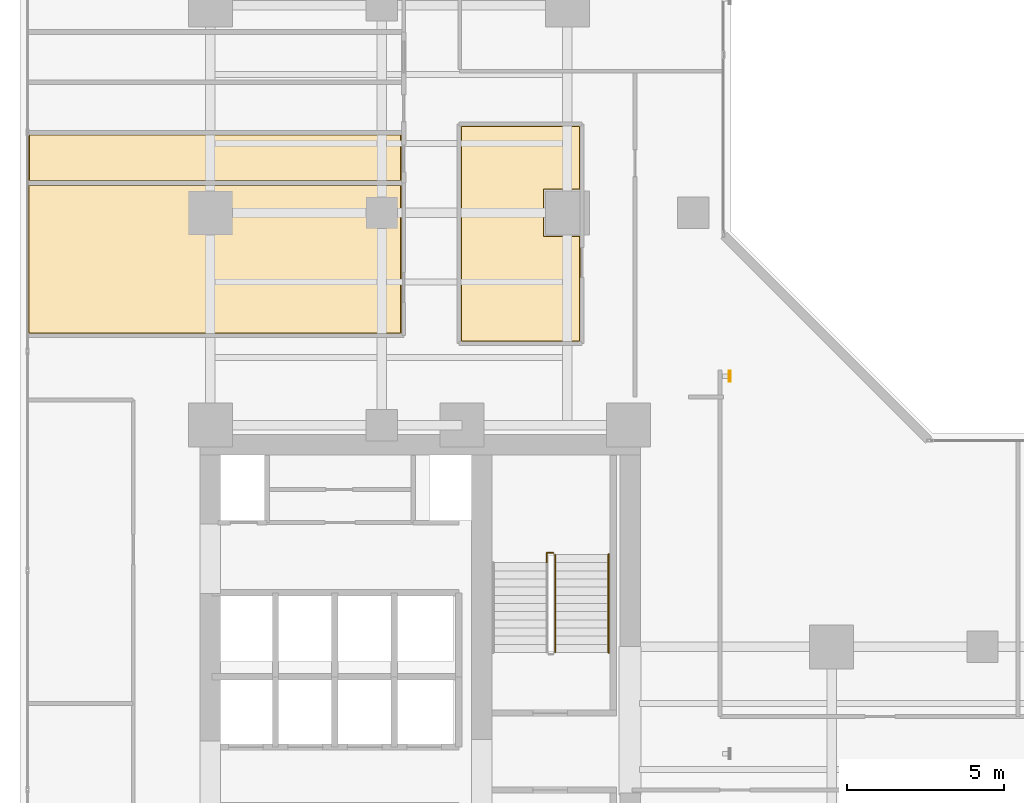
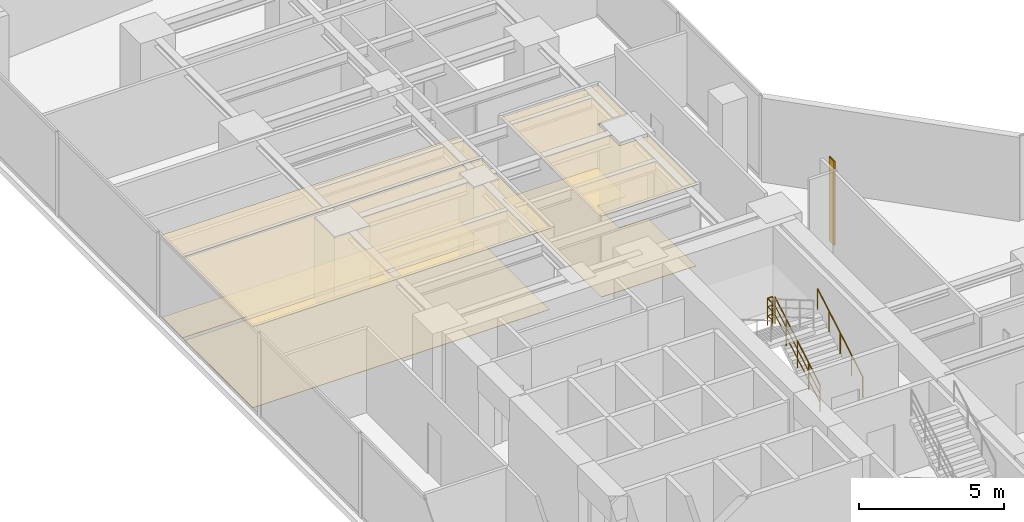
# One storey, part 26 of 28: 6 coverings, 3 railings, 1 shading device.
"""IFC4 building model written with IfcOpenShell, lengths in metres."""

import ifcopenshell
import ifcopenshell.guid

model = None  # the IFC model being written
_history = None  # IfcOwnerHistory: only IFC2X3 demands one
_inside = {}  # id of a spatial element -> (the spatial element, [elements in it])
_under = {}  # id of a project, library or spatial element -> (it, [spatial elements below it])
_declared = {}  # id of a project -> (the project, [libraries it declares])
_typed = {}  # id of a type object -> (the type object, [elements of that type])
_made_of = {}  # id of a material, layer set ... -> (it, [elements and type objects made of it])


def new_model(schema):
    """Start an empty IFC model of exactly this schema.

    Asked for "IFC4X3", IfcOpenShell would pick the latest addendum, in which some entities
    have other attributes; the version numbers below select the first issue.
    IFC2X3 requires an IfcOwnerHistory on every rooted entity: one is made here for all.
    """
    global model, _history
    if schema == "IFC4X3":
        model = ifcopenshell.file(schema_version=(4, 3, 0, 0))
    else:
        model = ifcopenshell.file(schema=schema)
    _inside.clear()
    _under.clear()
    _declared.clear()
    _typed.clear()
    _made_of.clear()
    _history = None
    if model.schema == "IFC2X3":
        org = make("IfcOrganization", Name="unknown")
        user = make(
            "IfcPersonAndOrganization",
            ThePerson=make("IfcPerson", FamilyName="unknown"),
            TheOrganization=org,
        )
        app = make(
            "IfcApplication",
            ApplicationDeveloper=org,
            Version="unknown",
            ApplicationFullName="unknown",
            ApplicationIdentifier="unknown",
        )
        _history = make(
            "IfcOwnerHistory",
            OwningUser=user,
            OwningApplication=app,
            ChangeAction="ADDED",
            CreationDate=0,
        )
    return model


def make(cls, **values):
    """One entity of the class cls with the attributes given. An attribute that is None is left unset."""
    return model.create_entity(
        cls, **{name: value for name, value in values.items() if value is not None}
    )


def rooted(cls, **values):
    """An entity with a GlobalId (a new one), such as an element, a storey or a relation."""
    return make(cls, GlobalId=ifcopenshell.guid.new(), OwnerHistory=_history, **values)


def si_unit(unit_type, name, prefix=None):
    """IfcSIUnit, for example si_unit("LENGTHUNIT", "METRE", prefix="MILLI")."""
    return make("IfcSIUnit", UnitType=unit_type, Prefix=prefix, Name=name)


def assignment(units):
    """IfcUnitAssignment: the units of a project."""
    return None if units is None else make("IfcUnitAssignment", Units=units)


def point(xyz):
    """IfcCartesianPoint."""
    return None if xyz is None else make("IfcCartesianPoint", Coordinates=xyz)


def direction(xyz):
    """IfcDirection."""
    return None if xyz is None else make("IfcDirection", DirectionRatios=xyz)


def frame(location, z_axis=None, x_axis=None):
    """IfcAxis2Placement3D, a coordinate frame: its origin and axes. An axis left out is left unset."""
    return make(
        "IfcAxis2Placement3D",
        Location=point(location),
        Axis=direction(z_axis),
        RefDirection=direction(x_axis),
    )


def frame_2d(location, x_axis=None):
    """IfcAxis2Placement2D, a coordinate frame in the plane: its origin and x axis."""
    return make(
        "IfcAxis2Placement2D", Location=point(location), RefDirection=direction(x_axis)
    )


def origin():
    """The frame at (0, 0, 0) with its axes left unset."""
    return frame((0.0, 0.0, 0.0))


def origin_2d():
    """The frame at (0, 0) in the plane with its x axis left unset."""
    return frame_2d((0.0, 0.0))


def place(relative_to, where):
    """IfcLocalPlacement: puts the frame where relative to a parent placement (None: the world)."""
    return make(
        "IfcLocalPlacement", PlacementRelTo=relative_to, RelativePlacement=where
    )


def context(
    kind, dimensions, precision=None, world=None, true_north=None, identifier=None
):
    """IfcGeometricRepresentationContext, for example the 3D "Model" context."""
    return make(
        "IfcGeometricRepresentationContext",
        ContextIdentifier=identifier,
        ContextType=kind,
        CoordinateSpaceDimension=dimensions,
        Precision=precision,
        WorldCoordinateSystem=world,
        TrueNorth=true_north,
    )


def subcontext(parent, identifier, kind, view, scale=None):
    """IfcGeometricRepresentationSubContext, for example "Body" below "Model"."""
    return make(
        "IfcGeometricRepresentationSubContext",
        ContextIdentifier=identifier,
        ContextType=kind,
        ParentContext=parent,
        TargetScale=scale,
        TargetView=view,
    )


def project(units=None, contexts=None):
    """IfcProject with its units and contexts."""
    return rooted(
        "IfcProject",
        Name="project",
        RepresentationContexts=contexts,
        UnitsInContext=assignment(units),
    )


def spatial(cls, under=None, at=None, **own):
    """A site, building, storey or space (cls), placed at a placement, below another one or the project."""
    s = rooted(cls, ObjectPlacement=at, **own)
    if under is not None:
        _under.setdefault(under.id(), (under, []))[1].append(s)
    return s


def polyline(points):
    """IfcPolyline through the points."""
    return make("IfcPolyline", Points=[point(p) for p in points])


def profile(cls, at=None, kind="AREA", **sizes):
    """A parametric profile (cls). Its sizes go by their IFC names, for example OverallWidth=200.0."""
    return make(cls, ProfileType=kind, Position=at, **sizes)


def hollow_rectangle(**sizes):
    """IfcRectangleHollowProfileDef."""
    return profile("IfcRectangleHollowProfileDef", **sizes)


def circle(**sizes):
    """IfcCircleProfileDef."""
    return profile("IfcCircleProfileDef", **sizes)


def outline(outer, holes=None, kind="AREA"):
    """IfcArbitraryClosedProfileDef: a profile drawn as a closed curve; with holes, ...WithVoids."""
    if holes is None:
        return make("IfcArbitraryClosedProfileDef", ProfileType=kind, OuterCurve=outer)
    return make(
        "IfcArbitraryProfileDefWithVoids",
        ProfileType=kind,
        OuterCurve=outer,
        InnerCurves=holes,
    )


def extrude(swept, where, along, depth):
    """IfcExtrudedAreaSolid: the profile swept, set in the frame where, extruded along a direction by depth."""
    return make(
        "IfcExtrudedAreaSolid",
        SweptArea=swept,
        Position=where,
        ExtrudedDirection=direction(along),
        Depth=depth,
    )


def shape(context_of_items, identifier, shape_type, items):
    """IfcShapeRepresentation: the items that make up one representation, for example the "Body"."""
    return make(
        "IfcShapeRepresentation",
        ContextOfItems=context_of_items,
        RepresentationIdentifier=identifier,
        RepresentationType=shape_type,
        Items=items,
    )


def material(Name=None, Category=None):
    """IfcMaterial."""
    return make("IfcMaterial", Name=Name, Category=Category)


def layer(
    of_material, thickness, ventilated=None, Name=None, Category=None, Priority=None
):
    """IfcMaterialLayer: one layer of a wall or slab, of a material (None: an air gap)."""
    return make(
        "IfcMaterialLayer",
        Material=of_material,
        LayerThickness=thickness,
        IsVentilated=ventilated,
        Name=Name,
        Category=Category,
        Priority=Priority,
    )


def layer_set(layers, Name=None):
    """IfcMaterialLayerSet."""
    return make("IfcMaterialLayerSet", MaterialLayers=layers, LayerSetName=Name)


def material_profile(
    of_material, cross_section, Name=None, Category=None, Priority=None
):
    """IfcMaterialProfile: a cross section and its material."""
    return make(
        "IfcMaterialProfile",
        Name=Name,
        Material=of_material,
        Profile=cross_section,
        Priority=Priority,
        Category=Category,
    )


def profile_set(profiles, Name=None, composite=None):
    """IfcMaterialProfileSet."""
    return make(
        "IfcMaterialProfileSet",
        Name=Name,
        MaterialProfiles=profiles,
        CompositeProfile=composite,
    )


def made_of(thing, what):
    """Note that an element or type object is made of a material, layer set ...; save() writes the relation."""
    if what is not None:
        _made_of.setdefault(what.id(), (what, []))[1].append(thing)
    return thing


def type_object(cls, material=None, **own):
    """A type object (cls), such as IfcWallType, which elements share."""
    return made_of(rooted(cls, **own), material)


def element(
    cls,
    number,
    at=None,
    inside=None,
    cuts=None,
    type_object=None,
    material=None,
    context=None,
    identifier="Body",
    shape_type=None,
    held_by="IfcProductDefinitionShape",
    body=None,
    shapes=None,
    **own,
):
    """One element of the class cls, such as IfcWall. Its Tag is "e" and its number.

    at: its placement. inside: the storey or other place that contains it. cuts: it is an
    opening in that element (IfcRelVoidsElement). A single representation is given by context,
    identifier, shape_type and body (its items); several are given by shapes. held_by: the class
    of the entity that holds the representations. save() writes the other relations.
    """
    e = rooted(cls, Tag="e%d" % number, ObjectPlacement=at, **own)
    if body is not None:
        shapes = [shape(context, identifier, shape_type, body)]
    if shapes is not None:
        e.Representation = make(held_by, Representations=shapes)
    if inside is not None:
        _inside.setdefault(inside.id(), (inside, []))[1].append(e)
    if cuts is not None:
        rooted(
            "IfcRelVoidsElement", RelatingBuildingElement=cuts, RelatedOpeningElement=e
        )
    if type_object is not None:
        _typed.setdefault(type_object.id(), (type_object, []))[1].append(e)
    return made_of(e, material)


def aggregate(whole, parts):
    """IfcRelAggregates: a whole, such as a stair, and the parts it consists of."""
    return rooted("IfcRelAggregates", RelatingObject=whole, RelatedObjects=parts)


def save(model, path):
    """Write the relations noted so far, then the file.

    IfcRelAggregates (storeys below a building ...), IfcRelContainedInSpatialStructure (elements
    in a storey), IfcRelDefinesByType, IfcRelAssociatesMaterial and IfcRelDeclares: one each for
    every whole, place, type object, material and project.
    """
    for whole, parts in _under.values():
        aggregate(whole, parts)
    for where, things in _inside.values():
        rooted(
            "IfcRelContainedInSpatialStructure",
            RelatedElements=things,
            RelatingStructure=where,
        )
    for kind, things in _typed.values():
        rooted("IfcRelDefinesByType", RelatedObjects=things, RelatingType=kind)
    for what, things in _made_of.values():
        rooted("IfcRelAssociatesMaterial", RelatedObjects=things, RelatingMaterial=what)
    for by, libraries in _declared.values():
        rooted("IfcRelDeclares", RelatingContext=by, RelatedDefinitions=libraries)
    model.write(path)


model = new_model("IFC4")

# Units and contexts
model_context = context("Model", 3, precision=1e-05, world=origin(), true_north=direction((0.0, 1.0)))
body_context = subcontext(model_context, "Body", "Model", "MODEL_VIEW")
ifc_project = project(units=[si_unit("LENGTHUNIT", "METRE"), si_unit("AREAUNIT", "SQUARE_METRE"), si_unit("VOLUMEUNIT", "CUBIC_METRE"), si_unit("PLANEANGLEUNIT", "RADIAN"), si_unit("MASSUNIT", "GRAM", prefix="KILO")], contexts=[model_context])

# Site, building, storey
site_placement = place(None, origin())
site = spatial("IfcSite", under=ifc_project, at=site_placement, CompositionType="ELEMENT")
building_placement = place(site_placement, origin())
building = spatial("IfcBuilding", under=site, at=building_placement, Name="Kolvaren Waterfront Exchange", CompositionType="ELEMENT")
storey_placement = place(building_placement, frame((0.0, 0.0, 114.5)))
storey = spatial("IfcBuildingStorey", under=building, at=storey_placement, Name="L29", CompositionType="ELEMENT", Elevation=114.5)

# Coverings
ifc_material_1 = material(Name="Mineral fibre acoustic ceiling tile")
ifc_layer_1 = layer(ifc_material_1, 0.02490234375, Name="Mineral fibre acoustic ceiling tile")
ifc_layer_set_1 = layer_set([ifc_layer_1], Name="Mineral fibre acoustic ceiling tile")
covering_type_1 = type_object("IfcCoveringType", Name="ARC-CEIL-ACOUSTIC-25", PredefinedType="CEILING", material=ifc_layer_set_1)
covering_1_placement = place(storey_placement, frame((0.0, 0.0, 3.425048828125)))
element("IfcCovering", 1, at=covering_1_placement, inside=storey, type_object=covering_type_1, Name="L29 acoustic suspended ceiling 1", PredefinedType="CEILING", context=body_context, shape_type="SweptSolid", body=[
    extrude(outline(polyline([(19.22509765625, 30.4599609375), (18.06005859375, 30.4599609375), (18.06005859375, 31.93994140625), (19.22509765625, 31.93994140625), (19.22509765625, 33.97509765625), (15.39501953125, 33.97509765625), (15.39501953125, 27.094970703125), (19.22509765625, 27.094970703125), (19.22509765625, 30.4599609375)])), origin(), (0.0, 0.0, 1.0), 0.02490234375),
])
covering_2_placement = place(storey_placement, frame((0.0, 0.0, 3.425048828125)))
element("IfcCovering", 2, at=covering_2_placement, inside=storey, type_object=covering_type_1, Name="L29 acoustic suspended ceiling 2", PredefinedType="CEILING", context=body_context, shape_type="SweptSolid", body=[
    extrude(outline(polyline([(13.534912109375, 27.344970703125), (13.534912109375, 32.10498046875), (1.64501953125, 32.10498046875), (1.64501953125, 27.344970703125), (13.534912109375, 27.344970703125)])), origin(), (0.0, 0.0, 1.0), 0.02490234375),
])
covering_3_placement = place(storey_placement, frame((0.0, 0.0, 3.425048828125)))
element("IfcCovering", 3, at=covering_3_placement, inside=storey, type_object=covering_type_1, Name="L29 acoustic suspended ceiling 3", PredefinedType="CEILING", context=body_context, shape_type="SweptSolid", body=[
    extrude(outline(polyline([(13.534912109375, 32.195068359375), (13.534912109375, 33.705078125), (1.6650390625, 33.705078125), (1.6650390625, 32.195068359375), (13.534912109375, 32.195068359375)])), origin(), (0.0, 0.0, 1.0), 0.02490234375),
])

# Shading device
ifc_material_2 = material(Name="Anodised bronze aluminium 6063-T6", Category="aluminium")
ifc_material_profile = material_profile(ifc_material_2, hollow_rectangle(XDim=0.06005859375, YDim=0.35009765625, WallThickness=0.0048828125, at=origin_2d()), Name="BRZ-FIN-350x60x5")
ifc_profile_set = profile_set([ifc_material_profile], Name="Anodised bronze aluminium 6063-T6")
shading_device_type = type_object("IfcShadingDeviceType", Name="ARC-FIN-350", PredefinedType="USERDEFINED", material=ifc_profile_set)
shading_device_placement = place(storey_placement, frame((23.9599609375, 26.0, 0.0), z_axis=(0.0, 0.0, 1.0), x_axis=(1.0, 0.0, 0.0)))
element("IfcShadingDevice", 4, at=shading_device_placement, inside=storey, type_object=shading_device_type, Name="L29 anodised bronze solar shading fin FIN-L29-E2", ObjectType="SOLAR FIN", PredefinedType="USERDEFINED", context=body_context, shape_type="SweptSolid", body=[
    extrude(hollow_rectangle(XDim=0.06005859375, YDim=0.35009765625, WallThickness=0.0048828125, at=origin_2d()), origin(), (0.0, 0.0, 1.0), 3.5400390625),
])

# Coverings
ifc_material_3 = material(Name="Slip-resistant porcelain tile")
ifc_layer_2 = layer(ifc_material_3, 0.014892578125, Name="Slip-resistant porcelain tile")
ifc_layer_set_2 = layer_set([ifc_layer_2], Name="Slip-resistant porcelain tile")
covering_type_2 = type_object("IfcCoveringType", Name="ARC-FLR-PORC-15", PredefinedType="FLOORING", material=ifc_layer_set_2)
covering_4_placement = place(storey_placement, origin())
element("IfcCovering", 5, at=covering_4_placement, inside=storey, type_object=covering_type_2, Name="L29 floor finish 1", PredefinedType="FLOORING", context=body_context, shape_type="SweptSolid", body=[
    extrude(outline(polyline([(15.429931640625, 33.93994140625), (15.429931640625, 27.1298828125), (19.18994140625, 27.1298828125), (19.18994140625, 30.43994140625), (18.0400390625, 30.43994140625), (18.0400390625, 31.9599609375), (19.18994140625, 31.9599609375), (19.18994140625, 33.93994140625), (15.429931640625, 33.93994140625)])), origin(), (0.0, 0.0, 1.0), 0.014892578125),
])
covering_5_placement = place(storey_placement, origin())
element("IfcCovering", 6, at=covering_5_placement, inside=storey, type_object=covering_type_2, Name="L29 floor finish 2", PredefinedType="FLOORING", context=body_context, shape_type="SweptSolid", body=[
    extrude(outline(polyline([(1.679931640625, 32.070068359375), (1.679931640625, 27.3798828125), (13.5, 27.3798828125), (13.5, 32.070068359375), (1.679931640625, 32.070068359375)])), origin(), (0.0, 0.0, 1.0), 0.014892578125),
])
covering_6_placement = place(storey_placement, origin())
element("IfcCovering", 7, at=covering_6_placement, inside=storey, type_object=covering_type_2, Name="L29 floor finish 3", PredefinedType="FLOORING", context=body_context, shape_type="SweptSolid", body=[
    extrude(outline(polyline([(1.699951171875, 33.669921875), (1.699951171875, 32.22998046875), (13.5, 32.22998046875), (13.5, 33.669921875), (1.699951171875, 33.669921875)])), origin(), (0.0, 0.0, 1.0), 0.014892578125),
])

# Railings
ifc_material_4 = material(Name="Stainless steel 316", Category="steel")
railing_type_1 = type_object("IfcRailingType", Name="ARC-GUARD-STAIR", PredefinedType="GUARDRAIL", material=ifc_material_4)
railing_1_placement = place(storey_placement, frame((18.409912109375, 17.219970703125, 0.152099609375)))
element("IfcRailing", 8, at=railing_1_placement, inside=storey, type_object=railing_type_1, Name="L29 ST2 stair guard 1", PredefinedType="GUARDRAIL", context=body_context, shape_type="SweptSolid", body=[
    extrude(circle(Radius=0.02392578125, at=origin_2d()), frame((0.0, 0.0, 1.1259765625), z_axis=(0.0, 0.86330811405, 0.504677223793), x_axis=(-1.0, 0.0, 0.0)), (0.0, 0.0, 1.0), 3.6142578125),
    extrude(circle(Radius=0.01611328125, at=origin_2d()), frame((0.0, 0.0, 0.390869140625), z_axis=(0.0, 0.86330811405, 0.504677223793), x_axis=(-1.0, 0.0, 0.0)), (0.0, 0.0, 1.0), 3.6142578125),
    extrude(circle(Radius=0.01611328125, at=origin_2d()), frame((0.0, 0.0, 0.7705078125), z_axis=(0.0, 0.86330811405, 0.504677223793), x_axis=(-1.0, 0.0, 0.0)), (0.0, 0.0, 1.0), 3.6142578125),
    extrude(circle(Radius=0.02099609375, at=origin_2d()), origin(), (0.0, 0.0, 1.0), 1.101806640625),
    extrude(circle(Radius=0.02099609375, at=origin_2d()), frame((0.0, 0.780029296875, 0.4560546875)), (0.0, 0.0, 1.0), 1.101806640625),
    extrude(circle(Radius=0.02099609375, at=origin_2d()), frame((0.0, 1.56005859375, 0.912109375)), (0.0, 0.0, 1.0), 1.101806640625),
    extrude(circle(Radius=0.02099609375, at=origin_2d()), frame((0.0, 2.340087890625, 1.367919921875)), (0.0, 0.0, 1.0), 1.101806640625),
    extrude(circle(Radius=0.02099609375, at=origin_2d()), frame((0.0, 3.1201171875, 1.823974609375)), (0.0, 0.0, 1.0), 1.101806640625),
])
railing_2_placement = place(storey_placement, frame((18.360107421875, 20.389892578125, 1.97607421875)))
element("IfcRailing", 9, at=railing_2_placement, inside=storey, type_object=railing_type_1, Name="L29 ST2 stair guard 2", PredefinedType="GUARDRAIL", context=body_context, shape_type="SweptSolid", body=[
    extrude(circle(Radius=0.02392578125, at=origin_2d()), frame((0.0, 0.0, 1.1259765625), z_axis=(-1.0, 0.0, 0.0), x_axis=(0.0, -1.0, 0.0)), (0.0, 0.0, 1.0), 0.210205078125),
    extrude(circle(Radius=0.01611328125, at=origin_2d()), frame((0.0, 0.0, 0.390869140625), z_axis=(-1.0, 0.0, 0.0), x_axis=(0.0, -1.0, 0.0)), (0.0, 0.0, 1.0), 0.210205078125),
    extrude(circle(Radius=0.01611328125, at=origin_2d()), frame((0.0, 0.0, 0.7705078125), z_axis=(-1.0, 0.0, 0.0), x_axis=(0.0, -1.0, 0.0)), (0.0, 0.0, 1.0), 0.210205078125),
    extrude(circle(Radius=0.02392578125, at=origin_2d()), frame((-0.210205078125, 0.0, 1.1259765625), z_axis=(0.0, -1.0, 0.0), x_axis=(1.0, 0.0, 0.0)), (0.0, 0.0, 1.0), 0.309814453125),
    extrude(circle(Radius=0.01611328125, at=origin_2d()), frame((-0.210205078125, 0.0, 0.390869140625), z_axis=(0.0, -1.0, 0.0), x_axis=(1.0, 0.0, 0.0)), (0.0, 0.0, 1.0), 0.309814453125),
    extrude(circle(Radius=0.01611328125, at=origin_2d()), frame((-0.210205078125, 0.0, 0.7705078125), z_axis=(0.0, -1.0, 0.0), x_axis=(1.0, 0.0, 0.0)), (0.0, 0.0, 1.0), 0.309814453125),
    extrude(circle(Radius=0.02099609375, at=origin_2d()), origin(), (0.0, 0.0, 1.0), 1.101806640625),
    extrude(circle(Radius=0.02099609375, at=origin_2d()), frame((-0.210205078125, 0.0, 0.0)), (0.0, 0.0, 1.0), 1.101806640625),
    extrude(circle(Radius=0.02099609375, at=origin_2d()), frame((-0.210205078125, -0.309814453125, 0.0)), (0.0, 0.0, 1.0), 1.101806640625),
])
railing_type_2 = type_object("IfcRailingType", Name="ARC-HANDRAIL-900", PredefinedType="HANDRAIL", material=ifc_material_4)
railing_3_placement = place(storey_placement, frame((20.110107421875, 17.219970703125, 0.152099609375)))
element("IfcRailing", 10, at=railing_3_placement, inside=storey, type_object=railing_type_2, Name="L29 ST2 stair handrail 1", PredefinedType="HANDRAIL", context=body_context, shape_type="SweptSolid", body=[
    extrude(circle(Radius=0.02392578125, at=origin_2d()), frame((0.0, 0.0, 0.8759765625), z_axis=(0.0, 0.86330811405, 0.504677223793), x_axis=(-1.0, 0.0, 0.0)), (0.0, 0.0, 1.0), 3.6142578125),
    extrude(circle(Radius=0.02099609375, at=origin_2d()), origin(), (0.0, 0.0, 1.0), 0.851806640625),
    extrude(circle(Radius=0.02099609375, at=origin_2d()), frame((0.0, 0.780029296875, 0.4560546875)), (0.0, 0.0, 1.0), 0.851806640625),
    extrude(circle(Radius=0.02099609375, at=origin_2d()), frame((0.0, 1.56005859375, 0.912109375)), (0.0, 0.0, 1.0), 0.851806640625),
    extrude(circle(Radius=0.02099609375, at=origin_2d()), frame((0.0, 2.340087890625, 1.367919921875)), (0.0, 0.0, 1.0), 0.851806640625),
    extrude(circle(Radius=0.02099609375, at=origin_2d()), frame((0.0, 3.1201171875, 1.823974609375)), (0.0, 0.0, 1.0), 0.851806640625),
])

save(model, "model.ifc")
